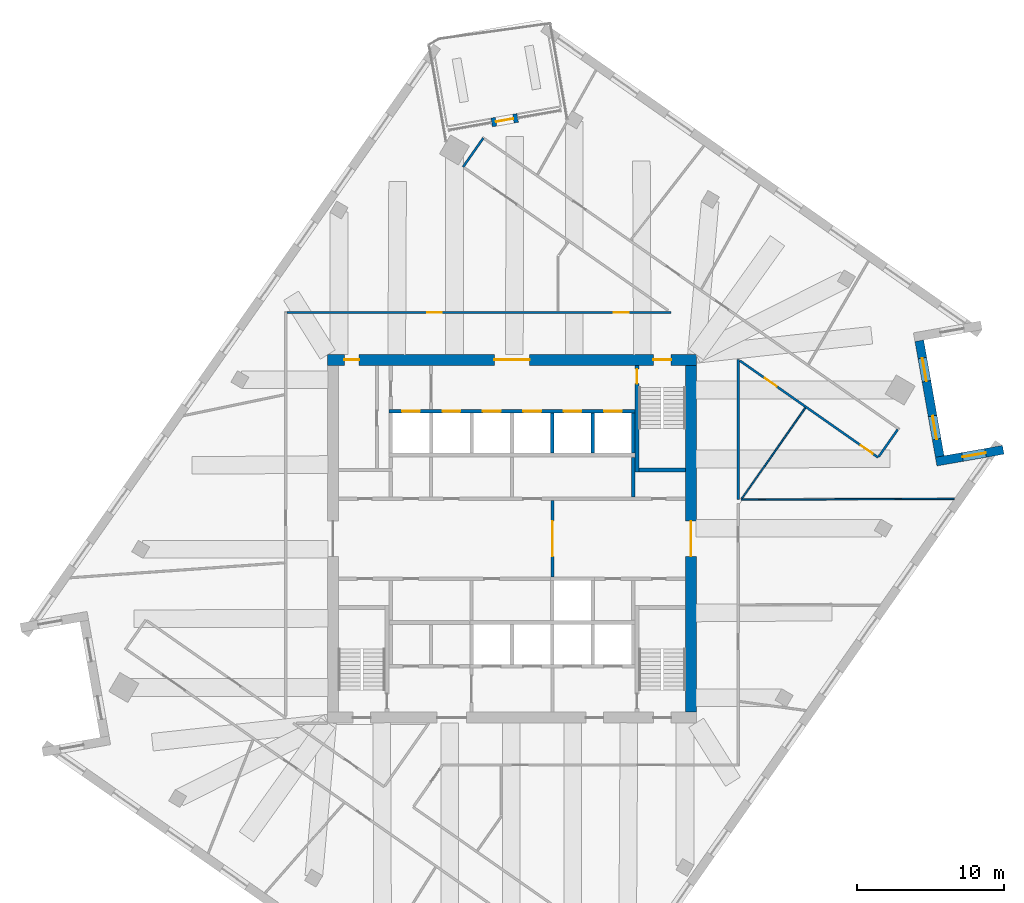
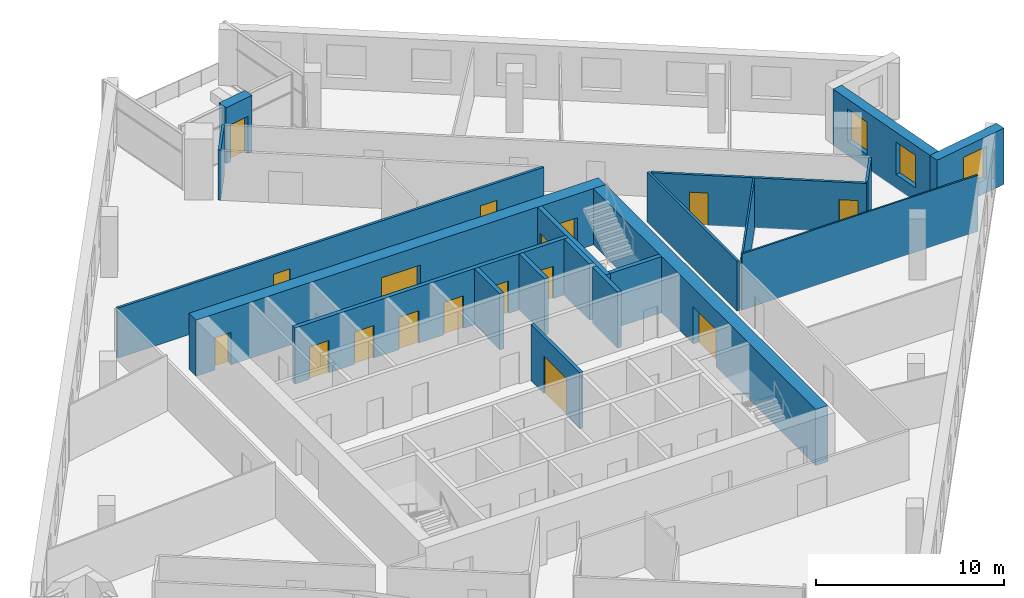
# One storey, part 10 of 13: 20 walls, 17 doors, 3 windows, 20 openings.
"""IFC4 building model written with IfcOpenShell, lengths in metres."""

from ifc_helpers import new_model, si_unit, direction, frame, frame_2d, origin, place, context, subcontext, project, spatial, rectangle, extrude, material, layer, layer_set, type_object, element, fill, save


model = new_model("IFC4")

# Units and contexts
model_context = context("Model", 3, precision=1e-05, world=origin(), true_north=direction((0.0, 1.0)))
body_context = subcontext(model_context, "Body", "Model", "MODEL_VIEW")
ifc_project = project(units=[si_unit("LENGTHUNIT", "METRE"), si_unit("AREAUNIT", "SQUARE_METRE"), si_unit("VOLUMEUNIT", "CUBIC_METRE"), si_unit("PLANEANGLEUNIT", "RADIAN"), si_unit("MASSUNIT", "GRAM", prefix="KILO")], contexts=[model_context])

# Site, building, storey
site_placement = place(None, origin())
site = spatial("IfcSite", under=ifc_project, at=site_placement, CompositionType="ELEMENT")
building_placement = place(site_placement, origin())
building = spatial("IfcBuilding", under=site, at=building_placement, Name="Dilmun Exchange Tower", CompositionType="ELEMENT")
storey_placement = place(building_placement, frame((0.0, 0.0, 242.89990234375)))
storey = spatial("IfcBuildingStorey", under=building, at=storey_placement, Name="L57", CompositionType="ELEMENT", Elevation=242.89990234375)

# Wall, opening, door
ifc_material_1 = material(Name="Concrete C40/50", Category="concrete")
ifc_layer_1 = layer(ifc_material_1, 0.199951171875)
ifc_layer_set_1 = layer_set([ifc_layer_1], Name="Concrete C40/50")
wall_type_1 = type_object("IfcWallType", Name="Core partition wall 200", PredefinedType="PARTITIONING", material=ifc_layer_set_1)
wall_1_placement = place(storey_placement, frame((2.75, -2.594970703125, 0.0), z_axis=(0.0, 0.0, 1.0), x_axis=(0.0, 1.0, 0.0)))
wall_1 = element("IfcWall", 1, at=wall_1_placement, inside=storey, type_object=wall_type_1, Name="L57 core partition wall 12", PredefinedType="PARTITIONING", context=body_context, shape_type="SweptSolid", body=[
    extrude(rectangle(XDim=5.18994140625, YDim=0.199951171875, at=frame_2d((2.594970703125, 0.0))), origin(), (0.0, 0.0, 1.0), 3.64013671875),
])
opening_1_placement = place(wall_1_placement, frame((1.39501953125, 0.0, 0.0)))
opening_1 = element("IfcOpeningElement", 2, at=opening_1_placement, cuts=wall_1, Name="Opening CD1", PredefinedType="OPENING", context=body_context, shape_type="SweptSolid", body=[
    extrude(rectangle(XDim=2.39990234375, YDim=2.39990234375, at=frame_2d((1.199951171875, 1.199951171875))), frame((0.0, 0.10986328125, 0.0), z_axis=(0.0, -1.0, 0.0), x_axis=(1.0, 0.0, 0.0)), (0.0, 0.0, 1.0), 0.219970703125),
])
ifc_material_2 = material(Name="Fire-rated steel door set", Category="steel")
door_type_1 = type_object("IfcDoorType", Name="Core lobby door 2400x2400", OperationType="DOUBLE_DOOR_DOUBLE_SWING", PredefinedType="DOOR", material=ifc_material_2)
door_1_placement = place(opening_1_placement, origin())
door_1 = element("IfcDoor", 3, at=door_1_placement, inside=storey, type_object=door_type_1, Name="L57 door Lift lobby east", OperationType="DOUBLE_DOOR_DOUBLE_SWING", OverallHeight=2.39990234375, OverallWidth=2.39990234375, PredefinedType="DOOR", context=body_context, shape_type="SweptSolid", body=[
    extrude(rectangle(XDim=2.39990234375, YDim=2.39990234375, at=frame_2d((1.199951171875, 1.199951171875))), frame((0.0, 0.02490234375, 0.0), z_axis=(0.0, -1.0, 0.0), x_axis=(1.0, 0.0, 0.0)), (0.0, 0.0, 1.0), 0.050048828125),
])
fill(opening_1, door_1)

# Wall
ifc_layer_2 = layer(ifc_material_1, 0.25)
ifc_layer_set_2 = layer_set([ifc_layer_2], Name="Concrete C40/50")
wall_type_2 = type_object("IfcWallType", Name="Core partition wall 250", PredefinedType="PARTITIONING", material=ifc_layer_set_2)
wall_2_placement = place(storey_placement, frame((8.25, 2.85498046875, 0.0), z_axis=(0.0, 0.0, 1.0), x_axis=(0.0, 1.0, 0.0)))
element("IfcWall", 4, at=wall_2_placement, inside=storey, type_object=wall_type_2, Name="L57 core partition wall 17", PredefinedType="PARTITIONING", context=body_context, shape_type="SweptSolid", body=[
    extrude(rectangle(XDim=2.68994140625, YDim=0.25, at=frame_2d((1.344970703125, 0.0))), origin(), (0.0, 0.0, 1.0), 3.64013671875),
])

# Wall, openings, doors
ifc_material_3 = material(Name="Concrete C50/60", Category="concrete")
ifc_layer_3 = layer(ifc_material_3, 0.75)
ifc_layer_set_3 = layer_set([ifc_layer_3], Name="Concrete C50/60")
wall_type_3 = type_object("IfcWallType", Name="Core shear wall 750 Concrete C50/60", PredefinedType="SHEAR", material=ifc_layer_set_3)
wall_3_placement = place(storey_placement, frame((-12.550048828125, 12.175048828125, 0.0), z_axis=(0.0, 0.0, 1.0), x_axis=(1.0, 0.0, 0.0)))
wall_3 = element("IfcWall", 5, at=wall_3_placement, inside=storey, type_object=wall_type_3, Name="L57 core shear wall N", PredefinedType="SHEAR", context=body_context, shape_type="SweptSolid", body=[
    extrude(rectangle(XDim=25.10009765625, YDim=0.75, at=frame_2d((12.550048828125, 0.0))), origin(), (0.0, 0.0, 1.0), 3.64013671875),
])
opening_2_placement = place(wall_3_placement, frame((11.35009765625, 0.0, 0.0)))
opening_2 = element("IfcOpeningElement", 6, at=opening_2_placement, cuts=wall_3, Name="Opening CD1", PredefinedType="OPENING", context=body_context, shape_type="SweptSolid", body=[
    extrude(rectangle(XDim=2.39990234375, YDim=2.39990234375, at=frame_2d((1.199951171875, 1.199951171875))), frame((0.0, 0.385009765625, 0.0), z_axis=(0.0, -1.0, 0.0), x_axis=(1.0, 0.0, 0.0)), (0.0, 0.0, 1.0), 0.77001953125),
])
opening_3_placement = place(wall_3_placement, frame((22.175048828125, 0.0, 0.0)))
opening_3 = element("IfcOpeningElement", 7, at=opening_3_placement, cuts=wall_3, Name="Opening CD3", PredefinedType="OPENING", context=body_context, shape_type="SweptSolid", body=[
    extrude(rectangle(XDim=1.199951171875, YDim=2.10009765625, at=frame_2d((0.60009765625, 1.050048828125))), frame((0.0, 0.385009765625, 0.0), z_axis=(0.0, -1.0, 0.0), x_axis=(1.0, 0.0, 0.0)), (0.0, 0.0, 1.0), 0.77001953125),
])
opening_4_placement = place(wall_3_placement, frame((1.14990234375, 0.0, 0.0)))
opening_4 = element("IfcOpeningElement", 8, at=opening_4_placement, cuts=wall_3, Name="Opening CD4", PredefinedType="OPENING", context=body_context, shape_type="SweptSolid", body=[
    extrude(rectangle(XDim=1.0, YDim=2.10009765625, at=frame_2d((0.5, 1.050048828125))), frame((0.0, 0.385009765625, 0.0), z_axis=(0.0, -1.0, 0.0), x_axis=(1.0, 0.0, 0.0)), (0.0, 0.0, 1.0), 0.77001953125),
])
door_2_placement = place(opening_2_placement, origin())
door_2 = element("IfcDoor", 9, at=door_2_placement, inside=storey, type_object=door_type_1, Name="L57 door North lift lobby", OperationType="SINGLE_SWING_LEFT", OverallHeight=2.39990234375, OverallWidth=2.39990234375, PredefinedType="DOOR", context=body_context, shape_type="SweptSolid", body=[
    extrude(rectangle(XDim=2.39990234375, YDim=2.39990234375, at=frame_2d((1.199951171875, 1.199951171875))), frame((0.0, 0.02490234375, 0.0), z_axis=(0.0, -1.0, 0.0), x_axis=(1.0, 0.0, 0.0)), (0.0, 0.0, 1.0), 0.050048828125),
])
fill(opening_2, door_2)
door_type_2 = type_object("IfcDoorType", Name="Core room door 1000x2100", OperationType="SINGLE_SWING_LEFT", PredefinedType="DOOR", material=ifc_material_2)
door_3_placement = place(opening_4_placement, origin())
door_3 = element("IfcDoor", 10, at=door_3_placement, inside=storey, type_object=door_type_2, Name="L57 door North-west core rooms", OperationType="SINGLE_SWING_LEFT", OverallHeight=2.10009765625, OverallWidth=1.0, PredefinedType="DOOR", context=body_context, shape_type="SweptSolid", body=[
    extrude(rectangle(XDim=1.0, YDim=2.10009765625, at=frame_2d((0.5, 1.050048828125))), frame((0.0, 0.02490234375, 0.0), z_axis=(0.0, -1.0, 0.0), x_axis=(1.0, 0.0, 0.0)), (0.0, 0.0, 1.0), 0.050048828125),
])
fill(opening_4, door_3)
door_type_3 = type_object("IfcDoorType", Name="Stair exit door 1200x2100", OperationType="SINGLE_SWING_LEFT", PredefinedType="DOOR", material=ifc_material_2)
door_4_placement = place(opening_3_placement, origin())
door_4 = element("IfcDoor", 11, at=door_4_placement, inside=storey, type_object=door_type_3, Name="L57 door Stair ST1", OperationType="SINGLE_SWING_LEFT", OverallHeight=2.10009765625, OverallWidth=1.199951171875, PredefinedType="DOOR", context=body_context, shape_type="SweptSolid", body=[
    extrude(rectangle(XDim=1.199951171875, YDim=2.10009765625, at=frame_2d((0.60009765625, 1.050048828125))), frame((0.0, 0.02490234375, 0.0), z_axis=(0.0, -1.0, 0.0), x_axis=(1.0, 0.0, 0.0)), (0.0, 0.0, 1.0), 0.050048828125),
])
fill(opening_3, door_4)

# Wall, opening, door
wall_4_placement = place(storey_placement, frame((12.175048828125, -11.800048828125, 0.0), z_axis=(0.0, 0.0, 1.0), x_axis=(0.0, 1.0, 0.0)))
wall_4 = element("IfcWall", 12, at=wall_4_placement, inside=storey, type_object=wall_type_3, Name="L57 core shear wall E", PredefinedType="SHEAR", context=body_context, shape_type="SweptSolid", body=[
    extrude(rectangle(XDim=23.60009765625, YDim=0.75, at=frame_2d((11.800048828125, 0.0))), origin(), (0.0, 0.0, 1.0), 3.64013671875),
])
opening_5_placement = place(wall_4_placement, frame((10.60009765625, 0.0, 0.0)))
opening_5 = element("IfcOpeningElement", 13, at=opening_5_placement, cuts=wall_4, Name="Opening CD1", PredefinedType="OPENING", context=body_context, shape_type="SweptSolid", body=[
    extrude(rectangle(XDim=2.39990234375, YDim=2.39990234375, at=frame_2d((1.199951171875, 1.199951171875))), frame((0.0, 0.385009765625, 0.0), z_axis=(0.0, -1.0, 0.0), x_axis=(1.0, 0.0, 0.0)), (0.0, 0.0, 1.0), 0.77001953125),
])
door_5_placement = place(opening_5_placement, origin())
door_5 = element("IfcDoor", 14, at=door_5_placement, inside=storey, type_object=door_type_1, Name="L57 door Central lift lobby", OperationType="SINGLE_SWING_LEFT", OverallHeight=2.39990234375, OverallWidth=2.39990234375, PredefinedType="DOOR", context=body_context, shape_type="SweptSolid", body=[
    extrude(rectangle(XDim=2.39990234375, YDim=2.39990234375, at=frame_2d((1.199951171875, 1.199951171875))), frame((0.0, 0.02490234375, 0.0), z_axis=(0.0, -1.0, 0.0), x_axis=(1.0, 0.0, 0.0)), (0.0, 0.0, 1.0), 0.050048828125),
])
fill(opening_5, door_5)

# Wall, openings, doors
ifc_material_4 = material(Name="Corridor wall 150")
ifc_layer_4 = layer(ifc_material_4, 0.14990234375)
ifc_layer_set_4 = layer_set([ifc_layer_4], Name="Corridor wall 150")
wall_type_4 = type_object("IfcWallType", Name="Corridor wall 150", PredefinedType="PARTITIONING", material=ifc_layer_set_4)
wall_5_placement = place(storey_placement, frame((-15.324951171875, 15.39990234375, 0.0), z_axis=(0.0, 0.0, 1.0), x_axis=(1.0, 0.0, 0.0)))
wall_5 = element("IfcWall", 15, at=wall_5_placement, inside=storey, type_object=wall_type_4, Name="Corridor wall", PredefinedType="PARTITIONING", context=body_context, shape_type="SweptSolid", body=[
    extrude(rectangle(XDim=26.140869140625, YDim=0.14990234375, at=frame_2d((13.0703125, 0.0))), origin(), (0.0, 0.0, 1.0), 3.239990234375),
])
opening_6_placement = place(wall_5_placement, frame((9.550048828125, 0.0, 0.0)))
opening_6 = element("IfcOpeningElement", 16, at=opening_6_placement, cuts=wall_5, Name="Opening TF57-D08", PredefinedType="OPENING", context=body_context, shape_type="SweptSolid", body=[
    extrude(rectangle(XDim=1.0, YDim=2.10009765625, at=frame_2d((0.5, 1.050048828125))), frame((0.0, 0.0849609375, 0.0), z_axis=(0.0, -1.0, 0.0), x_axis=(1.0, 0.0, 0.0)), (0.0, 0.0, 1.0), 0.169921875),
])
opening_7_placement = place(wall_5_placement, frame((22.2548828125, 0.0, 0.0)))
opening_7 = element("IfcOpeningElement", 17, at=opening_7_placement, cuts=wall_5, Name="Opening TF57-D12", PredefinedType="OPENING", context=body_context, shape_type="SweptSolid", body=[
    extrude(rectangle(XDim=1.0, YDim=2.10009765625, at=frame_2d((0.5, 1.050048828125))), frame((0.0, 0.0849609375, 0.0), z_axis=(0.0, -1.0, 0.0), x_axis=(1.0, 0.0, 0.0)), (0.0, 0.0, 1.0), 0.169921875),
])
ifc_material_5 = material(Name="Fire door 1000 x 2100")
door_type_4 = type_object("IfcDoorType", Name="Fire door 1000 x 2100", OperationType="NOTDEFINED", PredefinedType="DOOR", material=ifc_material_5)
door_6_placement = place(opening_6_placement, origin())
door_6 = element("IfcDoor", 18, at=door_6_placement, inside=storey, type_object=door_type_4, Name="Door TF57-D08", OperationType="SINGLE_SWING_RIGHT", OverallHeight=2.10009765625, OverallWidth=1.0, PredefinedType="DOOR", context=body_context, shape_type="SweptSolid", body=[
    extrude(rectangle(XDim=1.0, YDim=2.10009765625, at=frame_2d((0.5, 1.050048828125))), frame((0.0, 0.02490234375, 0.0), z_axis=(0.0, -1.0, 0.0), x_axis=(1.0, 0.0, 0.0)), (0.0, 0.0, 1.0), 0.050048828125),
])
fill(opening_6, door_6)
door_7_placement = place(opening_7_placement, origin())
door_7 = element("IfcDoor", 19, at=door_7_placement, inside=storey, type_object=door_type_4, Name="Door TF57-D12", OperationType="SINGLE_SWING_LEFT", OverallHeight=2.10009765625, OverallWidth=1.0, PredefinedType="DOOR", context=body_context, shape_type="SweptSolid", body=[
    extrude(rectangle(XDim=1.0, YDim=2.10009765625, at=frame_2d((0.5, 1.050048828125))), frame((0.0, 0.02490234375, 0.0), z_axis=(0.0, -1.0, 0.0), x_axis=(1.0, 0.0, 0.0)), (0.0, 0.0, 1.0), 0.050048828125),
])
fill(opening_7, door_7)

# Walls
wall_6_placement = place(storey_placement, frame((-3.326904296875, 25.302978515625, 0.0), z_axis=(0.0, 0.0, 1.0), x_axis=(0.573387234428, 0.819284492344, 0.0)))
element("IfcWall", 20, at=wall_6_placement, inside=storey, type_object=wall_type_4, Name="Corridor wall", PredefinedType="PARTITIONING", context=body_context, shape_type="SweptSolid", body=[
    extrude(rectangle(XDim=2.399658203125, YDim=0.14990234375, at=frame_2d((1.19970703125, 0.0))), origin(), (0.0, 0.0, 1.0), 3.239990234375),
])
wall_7_placement = place(storey_placement, frame((15.39990234375, 2.6640625, 0.0), z_axis=(0.0, 0.0, 1.0), x_axis=(0.0, 1.0, 0.0)))
element("IfcWall", 21, at=wall_7_placement, inside=storey, type_object=wall_type_4, Name="Corridor wall", PredefinedType="PARTITIONING", context=body_context, shape_type="SweptSolid", body=[
    extrude(rectangle(XDim=9.52587890625, YDim=0.14990234375, at=frame_2d((4.762939453125, 0.0))), origin(), (0.0, 0.0, 1.0), 3.239990234375),
])

# Wall, openings, doors
wall_8_placement = place(storey_placement, frame((15.51806640625, 12.107421875, 0.0), z_axis=(0.0, 0.0, 1.0), x_axis=(0.819171924474, -0.573548043457, 0.0)))
wall_8 = element("IfcWall", 22, at=wall_8_placement, inside=storey, type_object=wall_type_4, Name="Corridor wall", PredefinedType="PARTITIONING", context=body_context, shape_type="SweptSolid", body=[
    extrude(rectangle(XDim=11.47119140625, YDim=0.14990234375, at=frame_2d((5.735595703125, 0.0))), origin(), (0.0, 0.0, 1.0), 3.239990234375),
])
opening_8_placement = place(wall_8_placement, frame((2.050048828125, 0.0, 0.0)))
opening_8 = element("IfcOpeningElement", 23, at=opening_8_placement, cuts=wall_8, Name="Opening TF57-D15", PredefinedType="OPENING", context=body_context, shape_type="SweptSolid", body=[
    extrude(rectangle(XDim=1.0, YDim=2.10009765625, at=frame_2d((0.5, 1.050048828125))), frame((0.0, 0.0849609375, 0.0), z_axis=(0.0, -1.0, 0.0), x_axis=(1.0, 0.0, 0.0)), (0.0, 0.0, 1.0), 0.169921875),
])
opening_9_placement = place(wall_8_placement, frame((10.027099609375, 0.0, 0.0)))
opening_9 = element("IfcOpeningElement", 24, at=opening_9_placement, cuts=wall_8, Name="Opening TF57-D19", PredefinedType="OPENING", context=body_context, shape_type="SweptSolid", body=[
    extrude(rectangle(XDim=1.0, YDim=2.10009765625, at=frame_2d((0.5, 1.050048828125))), frame((0.0, 0.0849609375, 0.0), z_axis=(0.0, -1.0, 0.0), x_axis=(1.0, 0.0, 0.0)), (0.0, 0.0, 1.0), 0.169921875),
])
door_8_placement = place(opening_8_placement, frame((1.0, 0.0, 0.0), z_axis=(0.0, 0.0, 1.0), x_axis=(-1.0, 0.0, 0.0)))
door_8 = element("IfcDoor", 25, at=door_8_placement, inside=storey, type_object=door_type_4, Name="Door TF57-D15", OperationType="SINGLE_SWING_LEFT", OverallHeight=2.10009765625, OverallWidth=1.0, PredefinedType="DOOR", context=body_context, shape_type="SweptSolid", body=[
    extrude(rectangle(XDim=1.0, YDim=2.10009765625, at=frame_2d((0.5, 1.050048828125))), frame((0.0, 0.02490234375, 0.0), z_axis=(0.0, -1.0, 0.0), x_axis=(1.0, 0.0, 0.0)), (0.0, 0.0, 1.0), 0.050048828125),
])
fill(opening_8, door_8)
door_9_placement = place(opening_9_placement, frame((1.0, 0.0, 0.0), z_axis=(0.0, 0.0, 1.0), x_axis=(-1.0, 0.0, 0.0)))
door_9 = element("IfcDoor", 26, at=door_9_placement, inside=storey, type_object=door_type_4, Name="Door TF57-D19", OperationType="SINGLE_SWING_LEFT", OverallHeight=2.10009765625, OverallWidth=1.0, PredefinedType="DOOR", context=body_context, shape_type="SweptSolid", body=[
    extrude(rectangle(XDim=1.0, YDim=2.10009765625, at=frame_2d((0.5, 1.050048828125))), frame((0.0, 0.02490234375, 0.0), z_axis=(0.0, -1.0, 0.0), x_axis=(1.0, 0.0, 0.0)), (0.0, 0.0, 1.0), 0.050048828125),
])
fill(opening_9, door_9)

# Wall
wall_9_placement = place(storey_placement, frame((24.9580078125, 5.58935546875, 0.0), z_axis=(0.0, 0.0, 1.0), x_axis=(0.573680754751, 0.819078989859, 0.0)))
element("IfcWall", 27, at=wall_9_placement, inside=storey, type_object=wall_type_4, Name="Corridor wall", PredefinedType="PARTITIONING", context=body_context, shape_type="SweptSolid", body=[
    extrude(rectangle(XDim=2.25048828125, YDim=0.14990234375, at=frame_2d((1.125244140625, 0.0))), origin(), (0.0, 0.0, 1.0), 3.239990234375),
])

# Wall, openings, doors
ifc_layer_5 = layer(ifc_material_1, 0.25)
ifc_layer_set_5 = layer_set([ifc_layer_5], Name="Concrete C40/50")
wall_type_5 = type_object("IfcWallType", Name="Lift shaft wall 250", PredefinedType="SOLIDWALL", material=ifc_layer_set_5)
wall_10_placement = place(storey_placement, frame((-8.375, 8.675048828125, 0.0), z_axis=(0.0, 0.0, 1.0), x_axis=(1.0, 0.0, 0.0)))
wall_10 = element("IfcWall", 28, at=wall_10_placement, inside=storey, type_object=wall_type_5, Name="L57 lift shaft front wall N2", PredefinedType="SOLIDWALL", context=body_context, shape_type="SweptSolid", body=[
    extrude(rectangle(XDim=16.75, YDim=0.25, at=frame_2d((8.375, 0.0))), origin(), (0.0, 0.0, 1.0), 3.64013671875),
])
opening_10_placement = place(wall_10_placement, frame((0.89990234375, 0.0, 0.0)))
opening_10 = element("IfcOpeningElement", 29, at=opening_10_placement, cuts=wall_10, Name="Opening LD", PredefinedType="OPENING", context=body_context, shape_type="SweptSolid", body=[
    extrude(rectangle(XDim=1.199951171875, YDim=2.10009765625, at=frame_2d((0.60009765625, 1.050048828125))), frame((0.0, 0.135009765625, 0.0), z_axis=(0.0, -1.0, 0.0), x_axis=(1.0, 0.0, 0.0)), (0.0, 0.0, 1.0), 0.27001953125),
])
opening_11_placement = place(wall_10_placement, frame((3.64990234375, 0.0, 0.0)))
opening_11 = element("IfcOpeningElement", 30, at=opening_11_placement, cuts=wall_10, Name="Opening LD", PredefinedType="OPENING", context=body_context, shape_type="SweptSolid", body=[
    extrude(rectangle(XDim=1.199951171875, YDim=2.10009765625, at=frame_2d((0.60009765625, 1.050048828125))), frame((0.0, 0.135009765625, 0.0), z_axis=(0.0, -1.0, 0.0), x_axis=(1.0, 0.0, 0.0)), (0.0, 0.0, 1.0), 0.27001953125),
])
opening_12_placement = place(wall_10_placement, frame((6.39990234375, 0.0, 0.0)))
opening_12 = element("IfcOpeningElement", 31, at=opening_12_placement, cuts=wall_10, Name="Opening LD", PredefinedType="OPENING", context=body_context, shape_type="SweptSolid", body=[
    extrude(rectangle(XDim=1.199951171875, YDim=2.10009765625, at=frame_2d((0.60009765625, 1.050048828125))), frame((0.0, 0.135009765625, 0.0), z_axis=(0.0, -1.0, 0.0), x_axis=(1.0, 0.0, 0.0)), (0.0, 0.0, 1.0), 0.27001953125),
])
opening_13_placement = place(wall_10_placement, frame((9.14990234375, 0.0, 0.0)))
opening_13 = element("IfcOpeningElement", 32, at=opening_13_placement, cuts=wall_10, Name="Opening LD", PredefinedType="OPENING", context=body_context, shape_type="SweptSolid", body=[
    extrude(rectangle(XDim=1.199951171875, YDim=2.10009765625, at=frame_2d((0.60009765625, 1.050048828125))), frame((0.0, 0.135009765625, 0.0), z_axis=(0.0, -1.0, 0.0), x_axis=(1.0, 0.0, 0.0)), (0.0, 0.0, 1.0), 0.27001953125),
])
opening_14_placement = place(wall_10_placement, frame((11.89990234375, 0.0, 0.0)))
opening_14 = element("IfcOpeningElement", 33, at=opening_14_placement, cuts=wall_10, Name="Opening LD", PredefinedType="OPENING", context=body_context, shape_type="SweptSolid", body=[
    extrude(rectangle(XDim=1.199951171875, YDim=2.10009765625, at=frame_2d((0.60009765625, 1.050048828125))), frame((0.0, 0.135009765625, 0.0), z_axis=(0.0, -1.0, 0.0), x_axis=(1.0, 0.0, 0.0)), (0.0, 0.0, 1.0), 0.27001953125),
])
opening_15_placement = place(wall_10_placement, frame((14.64990234375, 0.0, 0.0)))
opening_15 = element("IfcOpeningElement", 34, at=opening_15_placement, cuts=wall_10, Name="Opening LD", PredefinedType="OPENING", context=body_context, shape_type="SweptSolid", body=[
    extrude(rectangle(XDim=1.199951171875, YDim=2.10009765625, at=frame_2d((0.60009765625, 1.050048828125))), frame((0.0, 0.135009765625, 0.0), z_axis=(0.0, -1.0, 0.0), x_axis=(1.0, 0.0, 0.0)), (0.0, 0.0, 1.0), 0.27001953125),
])
door_type_5 = type_object("IfcDoorType", Name="Lift landing door 1200x2100", OperationType="DOUBLE_DOOR_SLIDING", PredefinedType="DOOR", material=ifc_material_2)
door_10_placement = place(opening_10_placement, origin())
door_10 = element("IfcDoor", 35, at=door_10_placement, inside=storey, type_object=door_type_5, Name="L57 landing door HR1", OperationType="DOUBLE_DOOR_SLIDING", OverallHeight=2.10009765625, OverallWidth=1.199951171875, PredefinedType="DOOR", context=body_context, shape_type="SweptSolid", body=[
    extrude(rectangle(XDim=1.199951171875, YDim=2.10009765625, at=frame_2d((0.60009765625, 1.050048828125))), frame((0.0, 0.02490234375, 0.0), z_axis=(0.0, -1.0, 0.0), x_axis=(1.0, 0.0, 0.0)), (0.0, 0.0, 1.0), 0.050048828125),
])
fill(opening_10, door_10)
door_11_placement = place(opening_11_placement, origin())
door_11 = element("IfcDoor", 36, at=door_11_placement, inside=storey, type_object=door_type_5, Name="L57 landing door HR2", OperationType="DOUBLE_DOOR_SLIDING", OverallHeight=2.10009765625, OverallWidth=1.199951171875, PredefinedType="DOOR", context=body_context, shape_type="SweptSolid", body=[
    extrude(rectangle(XDim=1.199951171875, YDim=2.10009765625, at=frame_2d((0.60009765625, 1.050048828125))), frame((0.0, 0.02490234375, 0.0), z_axis=(0.0, -1.0, 0.0), x_axis=(1.0, 0.0, 0.0)), (0.0, 0.0, 1.0), 0.050048828125),
])
fill(opening_11, door_11)
door_12_placement = place(opening_12_placement, origin())
door_12 = element("IfcDoor", 37, at=door_12_placement, inside=storey, type_object=door_type_5, Name="L57 landing door HR3", OperationType="DOUBLE_DOOR_SLIDING", OverallHeight=2.10009765625, OverallWidth=1.199951171875, PredefinedType="DOOR", context=body_context, shape_type="SweptSolid", body=[
    extrude(rectangle(XDim=1.199951171875, YDim=2.10009765625, at=frame_2d((0.60009765625, 1.050048828125))), frame((0.0, 0.02490234375, 0.0), z_axis=(0.0, -1.0, 0.0), x_axis=(1.0, 0.0, 0.0)), (0.0, 0.0, 1.0), 0.050048828125),
])
fill(opening_12, door_12)
door_13_placement = place(opening_13_placement, origin())
door_13 = element("IfcDoor", 38, at=door_13_placement, inside=storey, type_object=door_type_5, Name="L57 landing door HR4", OperationType="DOUBLE_DOOR_SLIDING", OverallHeight=2.10009765625, OverallWidth=1.199951171875, PredefinedType="DOOR", context=body_context, shape_type="SweptSolid", body=[
    extrude(rectangle(XDim=1.199951171875, YDim=2.10009765625, at=frame_2d((0.60009765625, 1.050048828125))), frame((0.0, 0.02490234375, 0.0), z_axis=(0.0, -1.0, 0.0), x_axis=(1.0, 0.0, 0.0)), (0.0, 0.0, 1.0), 0.050048828125),
])
fill(opening_13, door_13)
door_14_placement = place(opening_14_placement, origin())
door_14 = element("IfcDoor", 39, at=door_14_placement, inside=storey, type_object=door_type_5, Name="L57 landing door HR5", OperationType="DOUBLE_DOOR_SLIDING", OverallHeight=2.10009765625, OverallWidth=1.199951171875, PredefinedType="DOOR", context=body_context, shape_type="SweptSolid", body=[
    extrude(rectangle(XDim=1.199951171875, YDim=2.10009765625, at=frame_2d((0.60009765625, 1.050048828125))), frame((0.0, 0.02490234375, 0.0), z_axis=(0.0, -1.0, 0.0), x_axis=(1.0, 0.0, 0.0)), (0.0, 0.0, 1.0), 0.050048828125),
])
fill(opening_14, door_14)
door_15_placement = place(opening_15_placement, origin())
door_15 = element("IfcDoor", 40, at=door_15_placement, inside=storey, type_object=door_type_5, Name="L57 landing door HR6", OperationType="DOUBLE_DOOR_SLIDING", OverallHeight=2.10009765625, OverallWidth=1.199951171875, PredefinedType="DOOR", context=body_context, shape_type="SweptSolid", body=[
    extrude(rectangle(XDim=1.199951171875, YDim=2.10009765625, at=frame_2d((0.60009765625, 1.050048828125))), frame((0.0, 0.02490234375, 0.0), z_axis=(0.0, -1.0, 0.0), x_axis=(1.0, 0.0, 0.0)), (0.0, 0.0, 1.0), 0.050048828125),
])
fill(opening_15, door_15)

# Walls
for number, where, z_axis, x_axis, name in (
    (41, (2.75, 5.85009765625, 0.0), (0.0, 0.0, 1.0), (0.0, 1.0, 0.0), "L57 lift shaft divider N24"),
    (42, (5.5, 5.85009765625, 0.0), (0.0, 0.0, 1.0), (0.0, 1.0, 0.0), "L57 lift shaft divider N25"),
    (43, (8.25, 5.85009765625, 0.0), (0.0, 0.0, 1.0), (0.0, 1.0, 0.0), "L57 lift shaft divider N26"),
):
    element("IfcWall", number, at=place(storey_placement, frame(where, z_axis=z_axis, x_axis=x_axis)), inside=storey, type_object=wall_type_5, Name=name, PredefinedType="SOLIDWALL", context=body_context, shape_type="SweptSolid", body=[
        extrude(rectangle(XDim=2.699951171875, YDim=0.25, at=frame_2d((1.35009765625, 0.0))), origin(), (0.0, 0.0, 1.0), 3.64013671875),
    ])
ifc_material_6 = material(Name="Partition 100")
ifc_layer_6 = layer(ifc_material_6, 0.10009765625)
ifc_layer_set_6 = layer_set([ifc_layer_6], Name="Partition 100")
wall_type_6 = type_object("IfcWallType", Name="Partition 100", PredefinedType="PARTITIONING", material=ifc_layer_set_6)
wall_11_placement = place(storey_placement, frame((15.593017578125, 2.6650390625, 0.0), z_axis=(0.0, 0.0, 1.0), x_axis=(0.999993270933, 0.003668526741, 0.0)))
element("IfcWall", 44, at=wall_11_placement, inside=storey, type_object=wall_type_6, Name="Partition", PredefinedType="PARTITIONING", context=body_context, shape_type="SweptSolid", body=[
    extrude(rectangle(XDim=14.5078125, YDim=0.10009765625, at=frame_2d((7.25390625, 0.0))), origin(), (0.0, 0.0, 1.0), 3.64013671875),
])
wall_12_placement = place(storey_placement, frame((15.648193359375, 2.743896484375, 0.0), z_axis=(0.0, 0.0, 1.0), x_axis=(0.57357562998, 0.819152608915, 0.0)))
element("IfcWall", 45, at=wall_12_placement, inside=storey, type_object=wall_type_6, Name="Partition", PredefinedType="PARTITIONING", context=body_context, shape_type="SweptSolid", body=[
    extrude(rectangle(XDim=7.520751953125, YDim=0.10009765625, at=frame_2d((3.76025390625, 0.0))), origin(), (0.0, 0.0, 1.0), 3.239990234375),
])

# Wall, opening, window
ifc_material_7 = material(Name="Precast concrete C50/60", Category="concrete")
ifc_layer_7 = layer(ifc_material_7, 0.60009765625)
ifc_layer_set_7 = layer_set([ifc_layer_7], Name="Precast concrete C50/60")
wall_type_7 = type_object("IfcWallType", Name="Precast stone-clad wall 600", PredefinedType="STANDARD", material=ifc_layer_set_7)
wall_13_placement = place(storey_placement, frame((33.4287109375, 6.051513671875, 0.0), z_axis=(0.0, 0.0, 1.0), x_axis=(-0.984808997794, -0.173641118013, 0.0)))
wall_13 = element("IfcWall", 46, at=wall_13_placement, inside=storey, type_object=wall_type_7, Name="Facade wall L57-12", PredefinedType="STANDARD", context=body_context, shape_type="SweptSolid", body=[
    extrude(rectangle(XDim=4.635498046875, YDim=0.60009765625, at=frame_2d((2.31787109375, 0.0))), origin(), (0.0, 0.0, 1.0), 3.64013671875),
])
opening_16_placement = place(wall_13_placement, frame((1.2177734375, 0.0, 0.89990234375)))
opening_16 = element("IfcOpeningElement", 47, at=opening_16_placement, cuts=wall_13, Name="Opening W160-210", PredefinedType="OPENING", context=body_context, shape_type="SweptSolid", body=[
    extrude(rectangle(XDim=1.60009765625, YDim=2.10009765625, at=frame_2d((0.800048828125, 1.050048828125))), frame((0.0, 0.31005859375, 0.0), z_axis=(0.0, -1.0, 0.0), x_axis=(1.0, 0.0, 0.0)), (0.0, 0.0, 1.0), 0.6201171875),
])
ifc_material_8 = material(Name="Clear low-emissivity glass in aluminium frame", Category="aluminium")
window_type = type_object("IfcWindowType", Name="Punched window 1600 x 2100", PartitioningType="DOUBLE_PANEL_VERTICAL", PredefinedType="WINDOW", material=ifc_material_8)
window_1_placement = place(opening_16_placement, origin())
window_1 = element("IfcWindow", 48, at=window_1_placement, inside=storey, type_object=window_type, Name="Window 13.1", OverallHeight=2.10009765625, OverallWidth=1.60009765625, PartitioningType="SINGLE_PANEL", PredefinedType="WINDOW", context=body_context, shape_type="SweptSolid", body=[
    extrude(rectangle(XDim=1.60009765625, YDim=2.10009765625, at=frame_2d((0.800048828125, 1.050048828125))), frame((0.0, 0.030029296875, 0.0), z_axis=(0.0, -1.0, 0.0), x_axis=(1.0, 0.0, 0.0)), (0.0, 0.0, 1.0), 0.06005859375),
])
fill(opening_16, window_1)

# Wall, openings, windows
wall_14_placement = place(storey_placement, frame((29.10693359375, 5.593994140625, 0.0), z_axis=(0.0, 0.0, 1.0), x_axis=(-0.173640837858, 0.98480904719, 0.0)))
wall_14 = element("IfcWall", 49, at=wall_14_placement, inside=storey, type_object=wall_type_7, Name="Facade wall L57-13", PredefinedType="STANDARD", context=body_context, shape_type="SweptSolid", body=[
    extrude(rectangle(XDim=8.000244140625, YDim=0.60009765625, at=frame_2d((4.0, 0.0))), origin(), (0.0, 0.0, 1.0), 3.64013671875),
])
opening_17_placement = place(wall_14_placement, frame((1.199951171875, 0.0, 0.89990234375)))
opening_17 = element("IfcOpeningElement", 50, at=opening_17_placement, cuts=wall_14, Name="Opening W160-210", PredefinedType="OPENING", context=body_context, shape_type="SweptSolid", body=[
    extrude(rectangle(XDim=1.60009765625, YDim=2.10009765625, at=frame_2d((0.800048828125, 1.050048828125))), frame((0.0, 0.31005859375, 0.0), z_axis=(0.0, -1.0, 0.0), x_axis=(1.0, 0.0, 0.0)), (0.0, 0.0, 1.0), 0.6201171875),
])
opening_18_placement = place(wall_14_placement, frame((5.199951171875, 0.0, 0.89990234375)))
opening_18 = element("IfcOpeningElement", 51, at=opening_18_placement, cuts=wall_14, Name="Opening W160-210", PredefinedType="OPENING", context=body_context, shape_type="SweptSolid", body=[
    extrude(rectangle(XDim=1.60009765625, YDim=2.10009765625, at=frame_2d((0.800048828125, 1.050048828125))), frame((0.0, 0.31005859375, 0.0), z_axis=(0.0, -1.0, 0.0), x_axis=(1.0, 0.0, 0.0)), (0.0, 0.0, 1.0), 0.6201171875),
])
window_2_placement = place(opening_17_placement, origin())
window_2 = element("IfcWindow", 52, at=window_2_placement, inside=storey, type_object=window_type, Name="Window 14.1", OverallHeight=2.10009765625, OverallWidth=1.60009765625, PartitioningType="SINGLE_PANEL", PredefinedType="WINDOW", context=body_context, shape_type="SweptSolid", body=[
    extrude(rectangle(XDim=1.60009765625, YDim=2.10009765625, at=frame_2d((0.800048828125, 1.050048828125))), frame((0.0, 0.030029296875, 0.0), z_axis=(0.0, -1.0, 0.0), x_axis=(1.0, 0.0, 0.0)), (0.0, 0.0, 1.0), 0.06005859375),
])
fill(opening_17, window_2)
window_3_placement = place(opening_18_placement, origin())
window_3 = element("IfcWindow", 53, at=window_3_placement, inside=storey, type_object=window_type, Name="Window 14.2", OverallHeight=2.10009765625, OverallWidth=1.60009765625, PartitioningType="SINGLE_PANEL", PredefinedType="WINDOW", context=body_context, shape_type="SweptSolid", body=[
    extrude(rectangle(XDim=1.60009765625, YDim=2.10009765625, at=frame_2d((0.800048828125, 1.050048828125))), frame((0.0, 0.030029296875, 0.0), z_axis=(0.0, -1.0, 0.0), x_axis=(1.0, 0.0, 0.0)), (0.0, 0.0, 1.0), 0.06005859375),
])
fill(opening_18, window_3)

# Wall, opening, door
wall_15_placement = place(storey_placement, frame((0.3876953125, 28.638427734375, 0.0), z_axis=(0.0, 0.0, 1.0), x_axis=(-0.984814947176, -0.173607372591, 0.0)))
wall_15 = element("IfcWall", 54, at=wall_15_placement, inside=storey, type_object=wall_type_7, Name="Facade wall L57-01-D", PredefinedType="STANDARD", context=body_context, shape_type="SweptSolid", body=[
    extrude(rectangle(XDim=1.800048828125, YDim=0.60009765625, at=frame_2d((0.89990234375, 0.0))), origin(), (0.0, 0.0, 1.0), 3.64013671875),
])
opening_19_placement = place(wall_15_placement, frame((0.300048828125, 0.0, 0.0)))
opening_19 = element("IfcOpeningElement", 55, at=opening_19_placement, cuts=wall_15, Name="Opening GD-1", PredefinedType="OPENING", context=body_context, shape_type="SweptSolid", body=[
    extrude(rectangle(XDim=1.199951171875, YDim=2.39990234375, at=frame_2d((0.60009765625, 1.199951171875))), frame((0.0, 0.31005859375, 0.0), z_axis=(0.0, -1.0, 0.0), x_axis=(1.0, 0.0, 0.0)), (0.0, 0.0, 1.0), 0.6201171875),
])
door_type_6 = type_object("IfcDoorType", Name="Glazed garden door 1200 x 2400", OperationType="SINGLE_SWING_LEFT", PredefinedType="DOOR", material=ifc_material_8)
door_16_placement = place(opening_19_placement, origin())
door_16 = element("IfcDoor", 56, at=door_16_placement, inside=storey, type_object=door_type_6, Name="Garden terrace door", OperationType="SINGLE_SWING_LEFT", OverallHeight=2.39990234375, OverallWidth=1.199951171875, PredefinedType="DOOR", context=body_context, shape_type="SweptSolid", body=[
    extrude(rectangle(XDim=1.199951171875, YDim=2.39990234375, at=frame_2d((0.60009765625, 1.199951171875))), frame((0.0, 0.02490234375, 0.0), z_axis=(0.0, -1.0, 0.0), x_axis=(1.0, 0.0, 0.0)), (0.0, 0.0, 1.0), 0.050048828125),
])
fill(opening_19, door_16)

# Wall
ifc_layer_8 = layer(ifc_material_1, 0.25)
ifc_layer_set_8 = layer_set([ifc_layer_8], Name="Concrete C40/50")
wall_type_8 = type_object("IfcWallType", Name="Stair end wall 250", PredefinedType="SOLIDWALL", material=ifc_layer_set_8)
wall_16_placement = place(storey_placement, frame((8.64990234375, 4.675048828125, 0.0), z_axis=(0.0, 0.0, 1.0), x_axis=(1.0, 0.0, 0.0)))
element("IfcWall", 57, at=wall_16_placement, inside=storey, type_object=wall_type_8, Name="L57 ST1 far wall", PredefinedType="SOLIDWALL", context=body_context, shape_type="SweptSolid", body=[
    extrude(rectangle(XDim=3.150146484375, YDim=0.25, at=frame_2d((1.5751953125, 0.0))), origin(), (0.0, 0.0, 1.0), 3.64013671875),
])

# Wall, opening, door
ifc_layer_9 = layer(ifc_material_1, 0.27490234375)
ifc_layer_set_9 = layer_set([ifc_layer_9], Name="Concrete C40/50")
wall_type_9 = type_object("IfcWallType", Name="Stair wall 275", PredefinedType="SOLIDWALL", material=ifc_layer_set_9)
wall_17_placement = place(storey_placement, frame((8.512451171875, 4.550048828125, 0.0), z_axis=(0.0, 0.0, 1.0), x_axis=(0.0, 1.0, 0.0)))
wall_17 = element("IfcWall", 58, at=wall_17_placement, inside=storey, type_object=wall_type_9, Name="L57 ST1 wall to lift block", PredefinedType="SOLIDWALL", context=body_context, shape_type="SweptSolid", body=[
    extrude(rectangle(XDim=7.25, YDim=0.27490234375, at=frame_2d((3.625, 0.0))), origin(), (0.0, 0.0, 1.0), 3.64013671875),
])
opening_20_placement = place(wall_17_placement, frame((6.0, 0.0, 0.0)))
opening_20 = element("IfcOpeningElement", 59, at=opening_20_placement, cuts=wall_17, Name="Opening CD4", PredefinedType="OPENING", context=body_context, shape_type="SweptSolid", body=[
    extrude(rectangle(XDim=1.0, YDim=2.10009765625, at=frame_2d((0.5, 1.050048828125))), frame((0.0, 0.1474609375, 0.0), z_axis=(0.0, -1.0, 0.0), x_axis=(1.0, 0.0, 0.0)), (0.0, 0.0, 1.0), 0.294921875),
])
door_17_placement = place(opening_20_placement, origin())
door_17 = element("IfcDoor", 60, at=door_17_placement, inside=storey, type_object=door_type_2, Name="L57 door ST1 from lobby", OperationType="SINGLE_SWING_LEFT", OverallHeight=2.10009765625, OverallWidth=1.0, PredefinedType="DOOR", context=body_context, shape_type="SweptSolid", body=[
    extrude(rectangle(XDim=1.0, YDim=2.10009765625, at=frame_2d((0.5, 1.050048828125))), frame((0.0, 0.02490234375, 0.0), z_axis=(0.0, -1.0, 0.0), x_axis=(1.0, 0.0, 0.0)), (0.0, 0.0, 1.0), 0.050048828125),
])
fill(opening_20, door_17)

save(model, "model.ifc")
